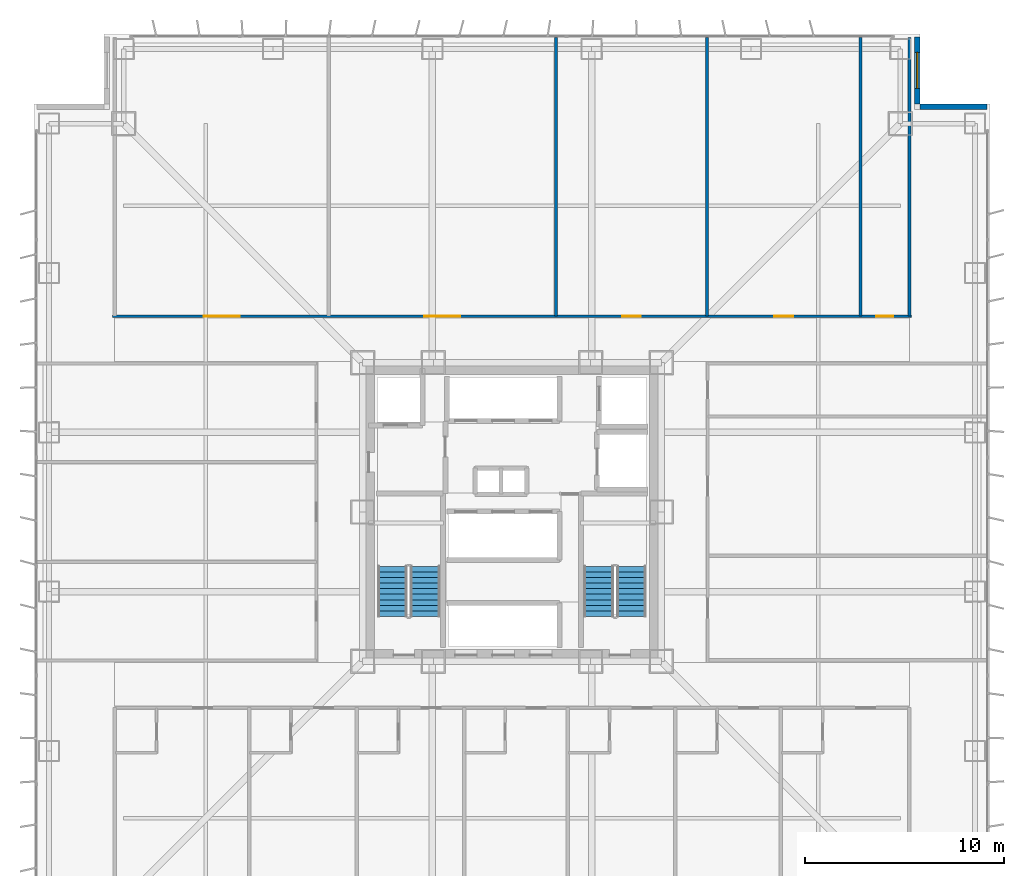
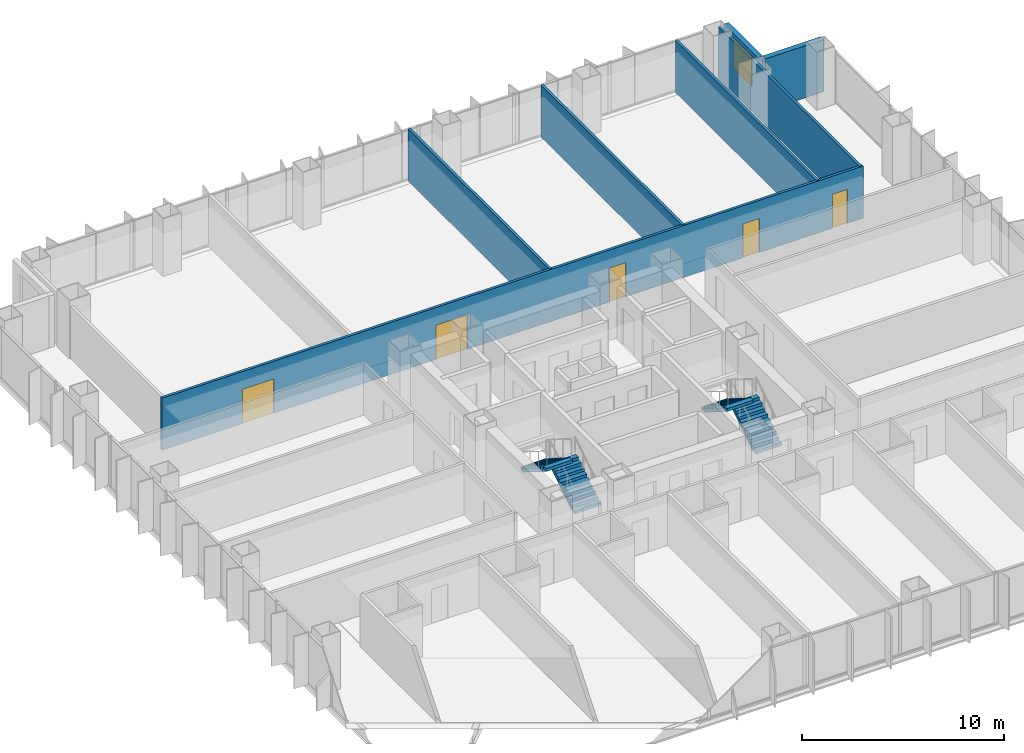
# One storey, part 16 of 19: 7 walls, 5 doors, 4 stair flights, 1 window, 6 openings, 2 elements without a shape of their own.
"""IFC4 building model written with IfcOpenShell, lengths in metres."""

from ifc_helpers import new_model, si_unit, direction, frame, frame_2d, origin, place, context, subcontext, project, spatial, polyline, rectangle, outline, extrude, material, layer, layer_set, type_object, element, fill, aggregate, save


model = new_model("IFC4")

# Units and contexts
model_context = context("Model", 3, precision=1e-05, world=origin(), true_north=direction((0.0, 1.0)))
body_context = subcontext(model_context, "Body", "Model", "MODEL_VIEW")
ifc_project = project(units=[si_unit("LENGTHUNIT", "METRE"), si_unit("AREAUNIT", "SQUARE_METRE"), si_unit("VOLUMEUNIT", "CUBIC_METRE"), si_unit("PLANEANGLEUNIT", "RADIAN"), si_unit("MASSUNIT", "GRAM", prefix="KILO")], contexts=[model_context])

# Site, building, storey
site_placement = place(None, origin())
site = spatial("IfcSite", under=ifc_project, at=site_placement, CompositionType="ELEMENT")
building_placement = place(site_placement, origin())
building = spatial("IfcBuilding", under=site, at=building_placement, Name="Trevonay Congress Spire", CompositionType="ELEMENT")
storey_placement = place(building_placement, frame((0.0, 0.0, 79.5)))
storey = spatial("IfcBuildingStorey", under=building, at=storey_placement, Name="L20", CompositionType="ELEMENT", Elevation=79.5)

# Wall, openings, doors
ifc_material_1 = material(Name="Concrete C40/50", Category="concrete")
ifc_layer_1 = layer(ifc_material_1, 0.14990234375, Name="Concrete C40/50")
ifc_layer_set_1 = layer_set([ifc_layer_1], Name="Concrete C40/50")
wall_type_1 = type_object("IfcWallType", Name="WAL-CORR-150", PredefinedType="PARTITIONING", material=ifc_layer_set_1)
wall_1_placement = place(storey_placement, frame((-20.070068359375, 9.830078125, 0.0), z_axis=(0.0, 0.0, 1.0), x_axis=(1.0, 0.0, 0.0)))
wall_1 = element("IfcWall", 1, at=wall_1_placement, inside=storey, type_object=wall_type_1, Name="L20 interior wall WP-L20N-COR", PredefinedType="PARTITIONING", context=body_context, shape_type="SweptSolid", body=[
    extrude(rectangle(XDim=40.14013671875, YDim=0.14990234375, at=frame_2d((20.070068359375, 0.0))), origin(), (0.0, 0.0, 1.0), 3.14990234375),
])
opening_1_placement = place(wall_1_placement, frame((4.594970703125, 0.0, 0.0)))
opening_1 = element("IfcOpeningElement", 2, at=opening_1_placement, cuts=wall_1, Name="Opening D09", PredefinedType="OPENING", context=body_context, shape_type="SweptSolid", body=[
    extrude(rectangle(XDim=1.800048828125, YDim=2.080078125, at=frame_2d((0.89990234375, 1.0400390625))), frame((0.0, 0.0849609375, 0.0), z_axis=(0.0, -1.0, 0.0), x_axis=(1.0, 0.0, 0.0)), (0.0, 0.0, 1.0), 0.169921875),
])
opening_2_placement = place(wall_1_placement, frame((15.669921875, 0.0, 0.0)))
opening_2 = element("IfcOpeningElement", 3, at=opening_2_placement, cuts=wall_1, Name="Opening D09", PredefinedType="OPENING", context=body_context, shape_type="SweptSolid", body=[
    extrude(rectangle(XDim=1.800048828125, YDim=2.080078125, at=frame_2d((0.89990234375, 1.0400390625))), frame((0.0, 0.0849609375, 0.0), z_axis=(0.0, -1.0, 0.0), x_axis=(1.0, 0.0, 0.0)), (0.0, 0.0, 1.0), 0.169921875),
])
opening_3_placement = place(wall_1_placement, frame((25.594970703125, 0.0, 0.0)))
opening_3 = element("IfcOpeningElement", 4, at=opening_3_placement, cuts=wall_1, Name="Opening D07", PredefinedType="OPENING", context=body_context, shape_type="SweptSolid", body=[
    extrude(rectangle(XDim=0.949951171875, YDim=2.06005859375, at=frame_2d((0.47509765625, 1.030029296875))), frame((0.0, 0.0849609375, 0.0), z_axis=(0.0, -1.0, 0.0), x_axis=(1.0, 0.0, 0.0)), (0.0, 0.0, 1.0), 0.169921875),
])
opening_4_placement = place(wall_1_placement, frame((33.2451171875, 0.0, 0.0)))
opening_4 = element("IfcOpeningElement", 5, at=opening_4_placement, cuts=wall_1, Name="Opening D07", PredefinedType="OPENING", context=body_context, shape_type="SweptSolid", body=[
    extrude(rectangle(XDim=0.949951171875, YDim=2.06005859375, at=frame_2d((0.47509765625, 1.030029296875))), frame((0.0, 0.0849609375, 0.0), z_axis=(0.0, -1.0, 0.0), x_axis=(1.0, 0.0, 0.0)), (0.0, 0.0, 1.0), 0.169921875),
])
opening_5_placement = place(wall_1_placement, frame((38.3701171875, 0.0, 0.0)))
opening_5 = element("IfcOpeningElement", 6, at=opening_5_placement, cuts=wall_1, Name="Opening D10", PredefinedType="OPENING", context=body_context, shape_type="SweptSolid", body=[
    extrude(rectangle(XDim=0.85009765625, YDim=2.050048828125, at=frame_2d((0.425048828125, 1.02490234375))), frame((0.0, 0.0849609375, 0.0), z_axis=(0.0, -1.0, 0.0), x_axis=(1.0, 0.0, 0.0)), (0.0, 0.0, 1.0), 0.169921875),
])
ifc_material_2 = material(Name="Pale Anodised Aluminium EN AW-6063-T6", Category="aluminium")
door_type_1 = type_object("IfcDoorType", Name="DOR-CONF-DBL", OperationType="DOUBLE_DOOR_SINGLE_SWING", PredefinedType="DOOR", material=ifc_material_2)
door_1_placement = place(opening_1_placement, origin())
door_1 = element("IfcDoor", 7, at=door_1_placement, inside=storey, type_object=door_type_1, Name="L20 Presidential Sky Lounge Door", OperationType="DOUBLE_DOOR_SINGLE_SWING", OverallHeight=2.080078125, OverallWidth=1.800048828125, PredefinedType="DOOR", context=body_context, shape_type="SweptSolid", body=[
    extrude(rectangle(XDim=1.800048828125, YDim=2.080078125, at=frame_2d((0.89990234375, 1.0400390625))), frame((0.0, 0.02490234375, 0.0), z_axis=(0.0, -1.0, 0.0), x_axis=(1.0, 0.0, 0.0)), (0.0, 0.0, 1.0), 0.050048828125),
])
fill(opening_1, door_1)
door_2_placement = place(opening_2_placement, origin())
door_2 = element("IfcDoor", 8, at=door_2_placement, inside=storey, type_object=door_type_1, Name="L20 Diplomatic Reception Salon Door", OperationType="DOUBLE_DOOR_SINGLE_SWING", OverallHeight=2.080078125, OverallWidth=1.800048828125, PredefinedType="DOOR", context=body_context, shape_type="SweptSolid", body=[
    extrude(rectangle(XDim=1.800048828125, YDim=2.080078125, at=frame_2d((0.89990234375, 1.0400390625))), frame((0.0, 0.02490234375, 0.0), z_axis=(0.0, -1.0, 0.0), x_axis=(1.0, 0.0, 0.0)), (0.0, 0.0, 1.0), 0.050048828125),
])
fill(opening_2, door_2)
door_type_2 = type_object("IfcDoorType", Name="DOR-OFFICE-95", OperationType="NOTDEFINED", PredefinedType="DOOR", material=ifc_material_2)
door_3_placement = place(opening_3_placement, origin())
door_3 = element("IfcDoor", 9, at=door_3_placement, inside=storey, type_object=door_type_2, Name="L20 Protocol Secretariat Office Door", OperationType="SINGLE_SWING_LEFT", OverallHeight=2.06005859375, OverallWidth=0.949951171875, PredefinedType="DOOR", context=body_context, shape_type="SweptSolid", body=[
    extrude(rectangle(XDim=0.949951171875, YDim=2.06005859375, at=frame_2d((0.47509765625, 1.030029296875))), frame((0.0, 0.02490234375, 0.0), z_axis=(0.0, -1.0, 0.0), x_axis=(1.0, 0.0, 0.0)), (0.0, 0.0, 1.0), 0.050048828125),
])
fill(opening_3, door_3)
door_4_placement = place(opening_4_placement, origin())
door_4 = element("IfcDoor", 10, at=door_4_placement, inside=storey, type_object=door_type_2, Name="L20 Butler Catering Kitchen Door", OperationType="SINGLE_SWING_RIGHT", OverallHeight=2.06005859375, OverallWidth=0.949951171875, PredefinedType="DOOR", context=body_context, shape_type="SweptSolid", body=[
    extrude(rectangle(XDim=0.949951171875, YDim=2.06005859375, at=frame_2d((0.47509765625, 1.030029296875))), frame((0.0, 0.02490234375, 0.0), z_axis=(0.0, -1.0, 0.0), x_axis=(1.0, 0.0, 0.0)), (0.0, 0.0, 1.0), 0.050048828125),
])
fill(opening_4, door_4)
door_type_3 = type_object("IfcDoorType", Name="DOR-WC-85", OperationType="NOTDEFINED", PredefinedType="DOOR", material=ifc_material_2)
door_5_placement = place(opening_5_placement, origin())
door_5 = element("IfcDoor", 11, at=door_5_placement, inside=storey, type_object=door_type_3, Name="L20 Accessible WC Door", OperationType="SINGLE_SWING_LEFT", OverallHeight=2.050048828125, OverallWidth=0.85009765625, PredefinedType="DOOR", context=body_context, shape_type="SweptSolid", body=[
    extrude(rectangle(XDim=0.85009765625, YDim=2.050048828125, at=frame_2d((0.425048828125, 1.02490234375))), frame((0.0, 0.02490234375, 0.0), z_axis=(0.0, -1.0, 0.0), x_axis=(1.0, 0.0, 0.0)), (0.0, 0.0, 1.0), 0.050048828125),
])
fill(opening_5, door_5)

# Wall, opening, window
ifc_material_3 = material(Name="Precast concrete C40/50", Category="concrete")
ifc_layer_2 = layer(ifc_material_3, 0.300048828125, Name="Precast concrete C40/50")
ifc_layer_set_2 = layer_set([ifc_layer_2], Name="Precast concrete C40/50")
wall_type_2 = type_object("IfcWallType", Name="WAL-EXT-PRECAST-300", PredefinedType="SOLIDWALL", material=ifc_layer_set_2)
wall_2_placement = place(storey_placement, frame((20.35009765625, 23.85009765625, 0.0), z_axis=(0.0, 0.0, 1.0), x_axis=(0.0, -1.0, 0.0)))
wall_2 = element("IfcWall", 12, at=wall_2_placement, inside=storey, type_object=wall_type_2, Name="L20 NE re-entrant notch exterior wall 1", PredefinedType="SOLIDWALL", context=body_context, shape_type="SweptSolid", body=[
    extrude(rectangle(XDim=3.35009765625, YDim=0.300048828125, at=frame_2d((1.675048828125, 0.0))), origin(), (0.0, 0.0, 1.0), 3.14990234375),
])
opening_6_placement = place(wall_2_placement, frame((0.77490234375, 0.0, 0.89990234375)))
opening_6 = element("IfcOpeningElement", 13, at=opening_6_placement, cuts=wall_2, Name="Opening WN01", PredefinedType="OPENING", context=body_context, shape_type="SweptSolid", body=[
    extrude(rectangle(XDim=1.800048828125, YDim=1.800048828125, at=frame_2d((0.89990234375, 0.89990234375))), frame((0.0, 0.16015625, 0.0), z_axis=(0.0, -1.0, 0.0), x_axis=(1.0, 0.0, 0.0)), (0.0, 0.0, 1.0), 0.320068359375),
])
ifc_material_4 = material(Name="Insulated Low-E Vision Glass IGU", Category="glass")
window_type = type_object("IfcWindowType", Name="WIN-HOTEL-180X180", PartitioningType="SINGLE_PANEL", PredefinedType="WINDOW", material=ifc_material_4)
window_placement = place(opening_6_placement, origin())
window = element("IfcWindow", 14, at=window_placement, inside=storey, type_object=window_type, Name="L20 NE corner notch window", OverallHeight=1.800048828125, OverallWidth=1.800048828125, PartitioningType="SINGLE_PANEL", PredefinedType="WINDOW", context=body_context, shape_type="SweptSolid", body=[
    extrude(rectangle(XDim=1.800048828125, YDim=1.800048828125, at=frame_2d((0.89990234375, 0.89990234375))), frame((0.0, 0.030029296875, 0.0), z_axis=(0.0, -1.0, 0.0), x_axis=(1.0, 0.0, 0.0)), (0.0, 0.0, 1.0), 0.06005859375),
])
fill(opening_6, window)

# Walls
wall_3_placement = place(storey_placement, frame((23.85009765625, 20.35009765625, 0.0), z_axis=(0.0, 0.0, 1.0), x_axis=(-1.0, 0.0, 0.0)))
element("IfcWall", 15, at=wall_3_placement, inside=storey, type_object=wall_type_2, Name="L20 NE re-entrant notch exterior wall 2", PredefinedType="SOLIDWALL", context=body_context, shape_type="SweptSolid", body=[
    extrude(rectangle(XDim=3.35009765625, YDim=0.300048828125, at=frame_2d((1.675048828125, 0.0))), origin(), (0.0, 0.0, 1.0), 3.14990234375),
])
ifc_layer_3 = layer(ifc_material_1, 0.14990234375, Name="Concrete C40/50")
ifc_layer_set_3 = layer_set([ifc_layer_3], Name="Concrete C40/50")
wall_type_3 = type_object("IfcWallType", Name="WAL-PART-150", PredefinedType="PARTITIONING", material=ifc_layer_set_3)
for number, where, z_axis, x_axis, name in (
    (16, (2.199951171875, 9.830078125, 0.0), (0.0, 0.0, 1.0), (0.0, 1.0, 0.0), "L20 interior wall WP-L20N-DIV3"),
    (17, (9.800048828125, 9.830078125, 0.0), (0.0, 0.0, 1.0), (0.0, 1.0, 0.0), "L20 interior wall WP-L20N-DIV4"),
    (18, (17.5, 9.830078125, 0.0), (0.0, 0.0, 1.0), (0.0, 1.0, 0.0), "L20 interior wall WP-L20N-DIV5"),
    (19, (19.949951171875, 9.830078125, 0.0), (0.0, 0.0, 1.0), (0.0, 1.0, 0.0), "L20 interior wall WP-L20N-DIV6"),
):
    element("IfcWall", number, at=place(storey_placement, frame(where, z_axis=z_axis, x_axis=x_axis)), inside=storey, type_object=wall_type_3, Name=name, PredefinedType="PARTITIONING", context=body_context, shape_type="SweptSolid", body=[
        extrude(rectangle(XDim=13.989990234375, YDim=0.14990234375, at=frame_2d((6.9951171875, 0.0))), origin(), (0.0, 0.0, 1.0), 3.14990234375),
    ])

# Stair, stair flights
stair_type_1 = type_object("IfcStairType", Name="STR-ST-1", PredefinedType="HALF_TURN_STAIR", material=ifc_material_1)
stair_1_placement = place(storey_placement, origin())
stair_1 = element("IfcStair", 20, at=stair_1_placement, inside=storey, type_object=stair_type_1, Name="L20 Protected Exit Stair ST-1", PredefinedType="HALF_TURN_STAIR")
stair_flight_type_1 = type_object("IfcStairFlightType", Name="SFL-ST-1", PredefinedType="STRAIGHT", material=ifc_material_1)
stair_flight_1_placement = place(storey_placement, frame((-4.35009765625, -5.25, 0.0), z_axis=(0.0, 0.0, 1.0), x_axis=(0.0, 1.0, 0.0)))
stair_flight_1 = element("IfcStairFlight", 21, at=stair_flight_1_placement, type_object=stair_flight_type_1, Name="ST-1 flight 1", NumberOfRisers=10, NumberOfTreads=9, PredefinedType="STRAIGHT", RiserHeight=0.175, TreadLength=0.28, context=body_context, shape_type="SweptSolid", body=[
    extrude(outline(polyline([(0.0, 0.0), (0.0, 0.175048828125), (0.280029296875, 0.175048828125), (0.280029296875, 0.35009765625), (0.56005859375, 0.35009765625), (0.56005859375, 0.52490234375), (0.840087890625, 0.52490234375), (0.840087890625, 0.699951171875), (1.1201171875, 0.699951171875), (1.1201171875, 0.875), (1.39990234375, 0.875), (1.39990234375, 1.050048828125), (1.679931640625, 1.050048828125), (1.679931640625, 1.22509765625), (1.9599609375, 1.22509765625), (1.9599609375, 1.39990234375), (2.239990234375, 1.39990234375), (2.239990234375, 1.574951171875), (2.52001953125, 1.574951171875), (2.52001953125, 1.75), (2.52001953125, 1.398193359375), (0.28271484375, 0.0), (0.0, 0.0)])), frame((0.0, 0.75, 0.0), z_axis=(0.0, -1.0, 0.0), x_axis=(1.0, 0.0, 0.0)), (0.0, 0.0, 1.0), 1.5),
])
stair_flight_2_placement = place(storey_placement, frame((-6.0, -2.72998046875, 1.75), z_axis=(0.0, 0.0, 1.0), x_axis=(0.0, -1.0, 0.0)))
stair_flight_2 = element("IfcStairFlight", 22, at=stair_flight_2_placement, type_object=stair_flight_type_1, Name="ST-1 flight 2", NumberOfRisers=10, NumberOfTreads=9, PredefinedType="STRAIGHT", RiserHeight=0.175, TreadLength=0.28, context=body_context, shape_type="SweptSolid", body=[
    extrude(outline(polyline([(0.0, 0.0), (0.0, 0.175048828125), (0.280029296875, 0.175048828125), (0.280029296875, 0.35009765625), (0.56005859375, 0.35009765625), (0.56005859375, 0.52490234375), (0.840087890625, 0.52490234375), (0.840087890625, 0.699951171875), (1.1201171875, 0.699951171875), (1.1201171875, 0.875), (1.39990234375, 0.875), (1.39990234375, 1.050048828125), (1.679931640625, 1.050048828125), (1.679931640625, 1.22509765625), (1.9599609375, 1.22509765625), (1.9599609375, 1.39990234375), (2.239990234375, 1.39990234375), (2.239990234375, 1.574951171875), (2.52001953125, 1.574951171875), (2.52001953125, 1.75), (2.52001953125, 1.398193359375), (0.28271484375, 0.0), (0.0, 0.0)])), frame((0.0, 0.75, 0.0), z_axis=(0.0, -1.0, 0.0), x_axis=(1.0, 0.0, 0.0)), (0.0, 0.0, 1.0), 1.5),
])
aggregate(stair_1, [stair_flight_1, stair_flight_2])

stair_type_2 = type_object("IfcStairType", Name="STR-ST-2", PredefinedType="HALF_TURN_STAIR", material=ifc_material_1)
stair_2_placement = place(storey_placement, origin())
stair_2 = element("IfcStair", 23, at=stair_2_placement, inside=storey, type_object=stair_type_2, Name="L20 Protected Exit Stair ST-2", PredefinedType="HALF_TURN_STAIR")
stair_flight_type_2 = type_object("IfcStairFlightType", Name="SFL-ST-2", PredefinedType="STRAIGHT", material=ifc_material_1)
stair_flight_3_placement = place(storey_placement, frame((6.0, -5.25, 0.0), z_axis=(0.0, 0.0, 1.0), x_axis=(0.0, 1.0, 0.0)))
stair_flight_3 = element("IfcStairFlight", 24, at=stair_flight_3_placement, type_object=stair_flight_type_2, Name="ST-2 flight 1", NumberOfRisers=10, NumberOfTreads=9, PredefinedType="STRAIGHT", RiserHeight=0.175, TreadLength=0.28, context=body_context, shape_type="SweptSolid", body=[
    extrude(outline(polyline([(0.0, 0.0), (0.0, 0.175048828125), (0.280029296875, 0.175048828125), (0.280029296875, 0.35009765625), (0.56005859375, 0.35009765625), (0.56005859375, 0.52490234375), (0.840087890625, 0.52490234375), (0.840087890625, 0.699951171875), (1.1201171875, 0.699951171875), (1.1201171875, 0.875), (1.39990234375, 0.875), (1.39990234375, 1.050048828125), (1.679931640625, 1.050048828125), (1.679931640625, 1.22509765625), (1.9599609375, 1.22509765625), (1.9599609375, 1.39990234375), (2.239990234375, 1.39990234375), (2.239990234375, 1.574951171875), (2.52001953125, 1.574951171875), (2.52001953125, 1.75), (2.52001953125, 1.398193359375), (0.28271484375, 0.0), (0.0, 0.0)])), frame((0.0, 0.75, 0.0), z_axis=(0.0, -1.0, 0.0), x_axis=(1.0, 0.0, 0.0)), (0.0, 0.0, 1.0), 1.5),
])
stair_flight_4_placement = place(storey_placement, frame((4.35009765625, -2.72998046875, 1.75), z_axis=(0.0, 0.0, 1.0), x_axis=(0.0, -1.0, 0.0)))
stair_flight_4 = element("IfcStairFlight", 25, at=stair_flight_4_placement, type_object=stair_flight_type_2, Name="ST-2 flight 2", NumberOfRisers=10, NumberOfTreads=9, PredefinedType="STRAIGHT", RiserHeight=0.175, TreadLength=0.28, context=body_context, shape_type="SweptSolid", body=[
    extrude(outline(polyline([(0.0, 0.0), (0.0, 0.175048828125), (0.280029296875, 0.175048828125), (0.280029296875, 0.35009765625), (0.56005859375, 0.35009765625), (0.56005859375, 0.52490234375), (0.840087890625, 0.52490234375), (0.840087890625, 0.699951171875), (1.1201171875, 0.699951171875), (1.1201171875, 0.875), (1.39990234375, 0.875), (1.39990234375, 1.050048828125), (1.679931640625, 1.050048828125), (1.679931640625, 1.22509765625), (1.9599609375, 1.22509765625), (1.9599609375, 1.39990234375), (2.239990234375, 1.39990234375), (2.239990234375, 1.574951171875), (2.52001953125, 1.574951171875), (2.52001953125, 1.75), (2.52001953125, 1.398193359375), (0.28271484375, 0.0), (0.0, 0.0)])), frame((0.0, 0.75, 0.0), z_axis=(0.0, -1.0, 0.0), x_axis=(1.0, 0.0, 0.0)), (0.0, 0.0, 1.0), 1.5),
])
aggregate(stair_2, [stair_flight_3, stair_flight_4])

save(model, "model.ifc")
